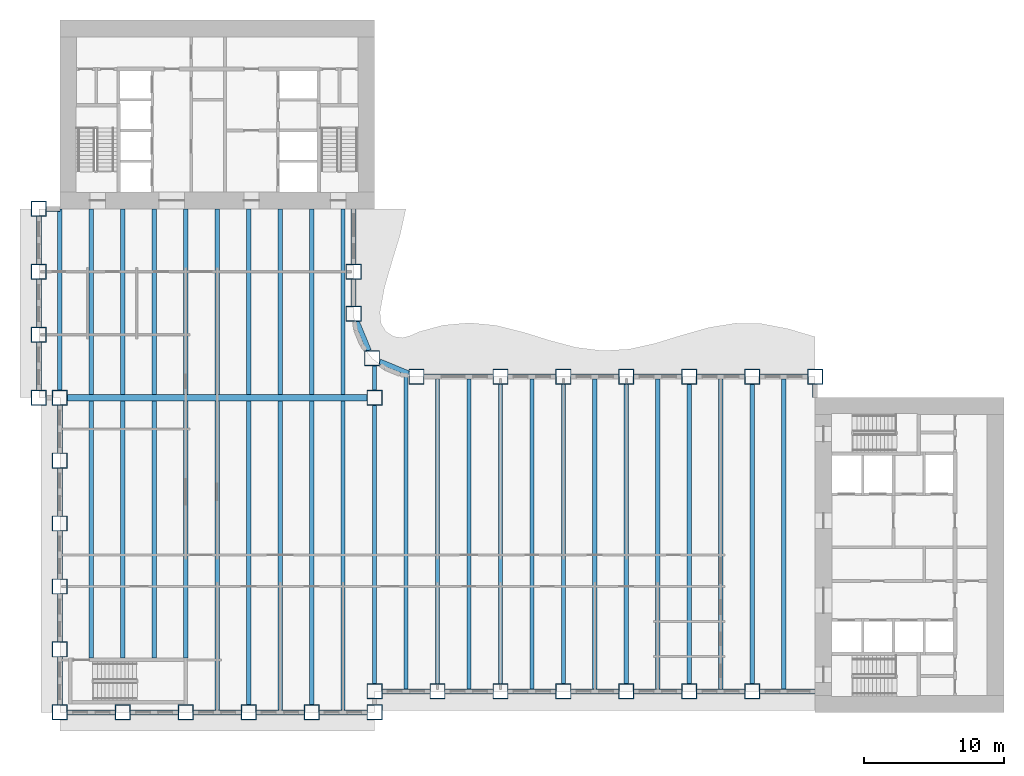
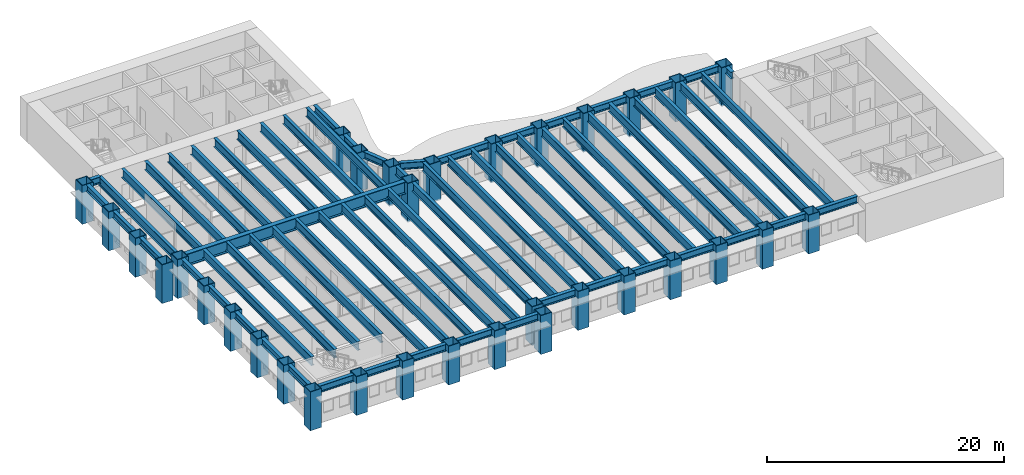
# One storey, part 1 of 16: 67 beams, 33 columns.
"""IFC4 building model written with IfcOpenShell, lengths in metres."""

from ifc_helpers import new_model, si_unit, direction, frame, origin, origin_2d, place, context, subcontext, project, spatial, hollow_rectangle, i_section, extrude, material, material_profile, profile_set, type_object, element, save


model = new_model("IFC4")

# Units and contexts
model_context = context("Model", 3, precision=1e-05, world=origin(), true_north=direction((0.0, 1.0)))
body_context = subcontext(model_context, "Body", "Model", "MODEL_VIEW")
ifc_project = project(units=[si_unit("LENGTHUNIT", "METRE"), si_unit("AREAUNIT", "SQUARE_METRE"), si_unit("VOLUMEUNIT", "CUBIC_METRE"), si_unit("PLANEANGLEUNIT", "RADIAN"), si_unit("MASSUNIT", "GRAM", prefix="KILO")], contexts=[model_context])

# Site, building, storey
site_placement = place(None, origin())
site = spatial("IfcSite", under=ifc_project, at=site_placement, CompositionType="ELEMENT")
building_placement = place(site_placement, origin())
building = spatial("IfcBuilding", under=site, at=building_placement, Name="Sennacour Bend Tower", CompositionType="ELEMENT")
storey_placement = place(building_placement, frame((0.0, 0.0, 69.0)))
storey = spatial("IfcBuildingStorey", under=building, at=storey_placement, Name="L15", CompositionType="ELEMENT", Elevation=69.0)

# Columns
ifc_material_1 = material(Name="Steel ASTM A572 Grade 50", Category="steel")
ifc_material_profile_1 = material_profile(ifc_material_1, hollow_rectangle(XDim=1.10009765625, YDim=1.10009765625, WallThickness=0.06005859375, at=origin_2d()), Name="Steel ASTM A572 Grade 50", Category="steel")
ifc_profile_set_1 = profile_set([ifc_material_profile_1], Name="Steel ASTM A572 Grade 50")
column_type = type_object("IfcColumnType", Name="Box column 1100", PredefinedType="COLUMN", material=ifc_profile_set_1)
for number, where, z_axis, x_axis, name in (
    (1, (-1.5, 22.5, -0.14990234375), (0.0, 0.0, 1.0), (1.0, 0.0, 0.0), "Perimeter column C1 L15-001"),
    (2, (-1.5, 27.0, -0.14990234375), (0.0, 0.0, 1.0), (1.0, 0.0, 0.0), "Perimeter column C1 L15-002"),
    (3, (-1.5, 31.5, -0.14990234375), (0.0, 0.0, 1.0), (1.0, 0.0, 0.0), "Perimeter column C1 L15-003"),
    (4, (-1.5, 36.0, -0.14990234375), (0.0, 0.0, 1.0), (1.0, 0.0, 0.0), "Perimeter column C1 L15-004"),
    (5, (0.0, 0.0, -0.14990234375), (0.0, 0.0, 1.0), (1.0, 0.0, 0.0), "Perimeter column C1 L15-005"),
    (6, (0.0, 4.5, -0.14990234375), (0.0, 0.0, 1.0), (1.0, 0.0, 0.0), "Perimeter column C1 L15-006"),
    (7, (0.0, 9.0, -0.14990234375), (0.0, 0.0, 1.0), (1.0, 0.0, 0.0), "Perimeter column C1 L15-007"),
    (8, (0.0, 13.5, -0.14990234375), (0.0, 0.0, 1.0), (1.0, 0.0, 0.0), "Perimeter column C1 L15-008"),
    (9, (0.0, 18.0, -0.14990234375), (0.0, 0.0, 1.0), (1.0, 0.0, 0.0), "Perimeter column C1 L15-009"),
    (10, (0.0, 22.5, -0.14990234375), (0.0, 0.0, 1.0), (1.0, 0.0, 0.0), "Perimeter column C1 L15-010"),
    (11, (4.5, 0.0, -0.14990234375), (0.0, 0.0, 1.0), (1.0, 0.0, 0.0), "Perimeter column C1 L15-011"),
    (12, (9.0, 0.0, -0.14990234375), (0.0, 0.0, 1.0), (1.0, 0.0, 0.0), "Perimeter column C1 L15-012"),
    (13, (13.5, 0.0, -0.14990234375), (0.0, 0.0, 1.0), (1.0, 0.0, 0.0), "Perimeter column C1 L15-013"),
    (14, (18.0, 0.0, -0.14990234375), (0.0, 0.0, 1.0), (1.0, 0.0, 0.0), "Perimeter column C1 L15-014"),
    (15, (21.0, 28.5, -0.14990234375), (0.0, 0.0, 1.0), (1.0, 0.0, 0.0), "Perimeter column C1 L15-015"),
    (16, (21.0, 31.5, -0.14990234375), (0.0, 0.0, 1.0), (1.0, 0.0, 0.0), "Perimeter column C1 L15-016"),
    (17, (22.318115234375, 25.318115234375, -0.14990234375), (0.0, 0.0, 1.0), (1.0, 0.0, 0.0), "Perimeter column C1 L15-017"),
    (18, (22.5, 0.0, -0.14990234375), (0.0, 0.0, 1.0), (1.0, 0.0, 0.0), "Perimeter column C1 L15-018"),
    (19, (22.5, 1.5, -0.14990234375), (0.0, 0.0, 1.0), (1.0, 0.0, 0.0), "Perimeter column C1 L15-019"),
    (20, (22.5, 22.5, -0.14990234375), (0.0, 0.0, 1.0), (1.0, 0.0, 0.0), "Knuckle column C1 L15-020"),
    (21, (25.5, 24.0, -0.14990234375), (0.0, 0.0, 1.0), (1.0, 0.0, 0.0), "Perimeter column C1 L15-021"),
    (22, (27.0, 1.5, -0.14990234375), (0.0, 0.0, 1.0), (1.0, 0.0, 0.0), "Perimeter column C1 L15-022"),
    (23, (31.5, 1.5, -0.14990234375), (0.0, 0.0, 1.0), (1.0, 0.0, 0.0), "Perimeter column C1 L15-023"),
    (24, (31.5, 24.0, -0.14990234375), (0.0, 0.0, 1.0), (1.0, 0.0, 0.0), "Perimeter column C1 L15-024"),
    (25, (36.0, 1.5, -0.14990234375), (0.0, 0.0, 1.0), (1.0, 0.0, 0.0), "Perimeter column C1 L15-025"),
    (26, (36.0, 24.0, -0.14990234375), (0.0, 0.0, 1.0), (1.0, 0.0, 0.0), "Perimeter column C1 L15-026"),
    (27, (40.5, 1.5, -0.14990234375), (0.0, 0.0, 1.0), (1.0, 0.0, 0.0), "Perimeter column C1 L15-027"),
    (28, (40.5, 24.0, -0.14990234375), (0.0, 0.0, 1.0), (1.0, 0.0, 0.0), "Perimeter column C1 L15-028"),
    (29, (45.0, 1.5, -0.14990234375), (0.0, 0.0, 1.0), (1.0, 0.0, 0.0), "Perimeter column C1 L15-029"),
    (30, (45.0, 24.0, -0.14990234375), (0.0, 0.0, 1.0), (1.0, 0.0, 0.0), "Perimeter column C1 L15-030"),
    (31, (49.5, 1.5, -0.14990234375), (0.0, 0.0, 1.0), (1.0, 0.0, 0.0), "Perimeter column C1 L15-031"),
    (32, (49.5, 24.0, -0.14990234375), (0.0, 0.0, 1.0), (1.0, 0.0, 0.0), "Perimeter column C1 L15-032"),
    (33, (54.0, 24.0, -0.14990234375), (0.0, 0.0, 1.0), (1.0, 0.0, 0.0), "Perimeter column C1 L15-033"),
):
    element("IfcColumn", number, at=place(storey_placement, frame(where, z_axis=z_axis, x_axis=x_axis)), inside=storey, type_object=column_type, Name=name, PredefinedType="COLUMN", context=body_context, shape_type="SweptSolid", body=[
        extrude(hollow_rectangle(XDim=1.10009765625, YDim=1.10009765625, WallThickness=0.06005859375, at=origin_2d()), origin(), (0.0, 0.0, 1.0), 4.0),
    ])

# Beams
ifc_material_2 = material(Name="Steel ASTM A992 Grade 50", Category="steel")
ifc_material_profile_2 = material_profile(ifc_material_2, i_section(OverallWidth=0.304931640625, OverallDepth=0.912109375, WebThickness=0.015869140625, FlangeThickness=0.02392578125, FilletRadius=0.01904296875, at=origin_2d()), Name="Steel ASTM A992 Grade 50", Category="steel")
ifc_profile_set_2 = profile_set([ifc_material_profile_2], Name="Steel ASTM A992 Grade 50")
beam_type_1 = type_object("IfcBeamType", Name="Floor beam W920X223", PredefinedType="BEAM", material=ifc_profile_set_2)
beam_1_placement = place(storey_placement, frame((0.0, 23.050048828125, 3.39404296875), z_axis=(0.0, 1.0, 0.0), x_axis=(-1.0, 0.0, 0.0)))
element("IfcBeam", 34, at=beam_1_placement, inside=storey, type_object=beam_type_1, Name="Floor beam FBM1 L16-001", PredefinedType="BEAM", context=body_context, shape_type="SweptSolid", body=[
    extrude(i_section(OverallWidth=0.304931640625, OverallDepth=0.912109375, WebThickness=0.015869140625, FlangeThickness=0.02392578125, FilletRadius=0.01904296875, at=origin_2d()), origin(), (0.0, 0.0, 1.0), 12.949951171875),
])
beam_2_placement = place(storey_placement, frame((2.25, 3.875, 3.39404296875), z_axis=(0.0, 1.0, 0.0), x_axis=(-1.0, 0.0, 0.0)))
element("IfcBeam", 35, at=beam_2_placement, inside=storey, type_object=beam_type_1, Name="Floor beam FBM1 L16-002", PredefinedType="BEAM", context=body_context, shape_type="SweptSolid", body=[
    extrude(i_section(OverallWidth=0.304931640625, OverallDepth=0.912109375, WebThickness=0.015869140625, FlangeThickness=0.02392578125, FilletRadius=0.01904296875, at=origin_2d()), origin(), (0.0, 0.0, 1.0), 18.39990234375),
])
beam_3_placement = place(storey_placement, frame((2.25, 22.72509765625, 3.39404296875), z_axis=(0.0, 1.0, 0.0), x_axis=(-1.0, 0.0, 0.0)))
element("IfcBeam", 36, at=beam_3_placement, inside=storey, type_object=beam_type_1, Name="Floor beam FBM1 L16-003", PredefinedType="BEAM", context=body_context, shape_type="SweptSolid", body=[
    extrude(i_section(OverallWidth=0.304931640625, OverallDepth=0.912109375, WebThickness=0.015869140625, FlangeThickness=0.02392578125, FilletRadius=0.01904296875, at=origin_2d()), origin(), (0.0, 0.0, 1.0), 13.27490234375),
])
beam_4_placement = place(storey_placement, frame((4.5, 3.875, 3.39404296875), z_axis=(0.0, 1.0, 0.0), x_axis=(-1.0, 0.0, 0.0)))
element("IfcBeam", 37, at=beam_4_placement, inside=storey, type_object=beam_type_1, Name="Floor beam FBM1 L16-004", PredefinedType="BEAM", context=body_context, shape_type="SweptSolid", body=[
    extrude(i_section(OverallWidth=0.304931640625, OverallDepth=0.912109375, WebThickness=0.015869140625, FlangeThickness=0.02392578125, FilletRadius=0.01904296875, at=origin_2d()), origin(), (0.0, 0.0, 1.0), 18.39990234375),
])
beam_5_placement = place(storey_placement, frame((4.5, 22.72509765625, 3.39404296875), z_axis=(0.0, 1.0, 0.0), x_axis=(-1.0, 0.0, 0.0)))
element("IfcBeam", 38, at=beam_5_placement, inside=storey, type_object=beam_type_1, Name="Floor beam FBM1 L16-005", PredefinedType="BEAM", context=body_context, shape_type="SweptSolid", body=[
    extrude(i_section(OverallWidth=0.304931640625, OverallDepth=0.912109375, WebThickness=0.015869140625, FlangeThickness=0.02392578125, FilletRadius=0.01904296875, at=origin_2d()), origin(), (0.0, 0.0, 1.0), 13.27490234375),
])
beam_6_placement = place(storey_placement, frame((6.75, 3.875, 3.39404296875), z_axis=(0.0, 1.0, 0.0), x_axis=(-1.0, 0.0, 0.0)))
element("IfcBeam", 39, at=beam_6_placement, inside=storey, type_object=beam_type_1, Name="Floor beam FBM1 L16-006", PredefinedType="BEAM", context=body_context, shape_type="SweptSolid", body=[
    extrude(i_section(OverallWidth=0.304931640625, OverallDepth=0.912109375, WebThickness=0.015869140625, FlangeThickness=0.02392578125, FilletRadius=0.01904296875, at=origin_2d()), origin(), (0.0, 0.0, 1.0), 18.39990234375),
])
beam_7_placement = place(storey_placement, frame((6.75, 22.72509765625, 3.39404296875), z_axis=(0.0, 1.0, 0.0), x_axis=(-1.0, 0.0, 0.0)))
element("IfcBeam", 40, at=beam_7_placement, inside=storey, type_object=beam_type_1, Name="Floor beam FBM1 L16-007", PredefinedType="BEAM", context=body_context, shape_type="SweptSolid", body=[
    extrude(i_section(OverallWidth=0.304931640625, OverallDepth=0.912109375, WebThickness=0.015869140625, FlangeThickness=0.02392578125, FilletRadius=0.01904296875, at=origin_2d()), origin(), (0.0, 0.0, 1.0), 13.27490234375),
])
beam_8_placement = place(storey_placement, frame((9.0, 3.875, 3.39404296875), z_axis=(0.0, 1.0, 0.0), x_axis=(-1.0, 0.0, 0.0)))
element("IfcBeam", 41, at=beam_8_placement, inside=storey, type_object=beam_type_1, Name="Floor beam FBM1 L16-008", PredefinedType="BEAM", context=body_context, shape_type="SweptSolid", body=[
    extrude(i_section(OverallWidth=0.304931640625, OverallDepth=0.912109375, WebThickness=0.015869140625, FlangeThickness=0.02392578125, FilletRadius=0.01904296875, at=origin_2d()), origin(), (0.0, 0.0, 1.0), 18.39990234375),
])
beam_9_placement = place(storey_placement, frame((9.0, 22.72509765625, 3.39404296875), z_axis=(0.0, 1.0, 0.0), x_axis=(-1.0, 0.0, 0.0)))
element("IfcBeam", 42, at=beam_9_placement, inside=storey, type_object=beam_type_1, Name="Floor beam FBM1 L16-009", PredefinedType="BEAM", context=body_context, shape_type="SweptSolid", body=[
    extrude(i_section(OverallWidth=0.304931640625, OverallDepth=0.912109375, WebThickness=0.015869140625, FlangeThickness=0.02392578125, FilletRadius=0.01904296875, at=origin_2d()), origin(), (0.0, 0.0, 1.0), 13.27490234375),
])
beam_10_placement = place(storey_placement, frame((11.25, 0.178955078125, 3.39404296875), z_axis=(0.0, 1.0, 0.0), x_axis=(-1.0, 0.0, 0.0)))
element("IfcBeam", 43, at=beam_10_placement, inside=storey, type_object=beam_type_1, Name="Floor beam FBM1 L16-010", PredefinedType="BEAM", context=body_context, shape_type="SweptSolid", body=[
    extrude(i_section(OverallWidth=0.304931640625, OverallDepth=0.912109375, WebThickness=0.015869140625, FlangeThickness=0.02392578125, FilletRadius=0.01904296875, at=origin_2d()), origin(), (0.0, 0.0, 1.0), 22.095947265625),
])
beam_11_placement = place(storey_placement, frame((11.25, 22.72509765625, 3.39404296875), z_axis=(0.0, 1.0, 0.0), x_axis=(-1.0, 0.0, 0.0)))
element("IfcBeam", 44, at=beam_11_placement, inside=storey, type_object=beam_type_1, Name="Floor beam FBM1 L16-011", PredefinedType="BEAM", context=body_context, shape_type="SweptSolid", body=[
    extrude(i_section(OverallWidth=0.304931640625, OverallDepth=0.912109375, WebThickness=0.015869140625, FlangeThickness=0.02392578125, FilletRadius=0.01904296875, at=origin_2d()), origin(), (0.0, 0.0, 1.0), 13.27490234375),
])
beam_12_placement = place(storey_placement, frame((13.5, 0.550048828125, 3.39404296875), z_axis=(0.0, 1.0, 0.0), x_axis=(-1.0, 0.0, 0.0)))
element("IfcBeam", 45, at=beam_12_placement, inside=storey, type_object=beam_type_1, Name="Floor beam FBM1 L16-012", PredefinedType="BEAM", context=body_context, shape_type="SweptSolid", body=[
    extrude(i_section(OverallWidth=0.304931640625, OverallDepth=0.912109375, WebThickness=0.015869140625, FlangeThickness=0.02392578125, FilletRadius=0.01904296875, at=origin_2d()), origin(), (0.0, 0.0, 1.0), 21.724853515625),
])
beam_13_placement = place(storey_placement, frame((13.5, 22.72509765625, 3.39404296875), z_axis=(0.0, 1.0, 0.0), x_axis=(-1.0, 0.0, 0.0)))
element("IfcBeam", 46, at=beam_13_placement, inside=storey, type_object=beam_type_1, Name="Floor beam FBM1 L16-013", PredefinedType="BEAM", context=body_context, shape_type="SweptSolid", body=[
    extrude(i_section(OverallWidth=0.304931640625, OverallDepth=0.912109375, WebThickness=0.015869140625, FlangeThickness=0.02392578125, FilletRadius=0.01904296875, at=origin_2d()), origin(), (0.0, 0.0, 1.0), 13.27490234375),
])
beam_14_placement = place(storey_placement, frame((15.75, 0.178955078125, 3.39404296875), z_axis=(0.0, 1.0, 0.0), x_axis=(-1.0, 0.0, 0.0)))
element("IfcBeam", 47, at=beam_14_placement, inside=storey, type_object=beam_type_1, Name="Floor beam FBM1 L16-014", PredefinedType="BEAM", context=body_context, shape_type="SweptSolid", body=[
    extrude(i_section(OverallWidth=0.304931640625, OverallDepth=0.912109375, WebThickness=0.015869140625, FlangeThickness=0.02392578125, FilletRadius=0.01904296875, at=origin_2d()), origin(), (0.0, 0.0, 1.0), 22.095947265625),
])
beam_15_placement = place(storey_placement, frame((15.75, 22.72509765625, 3.39404296875), z_axis=(0.0, 1.0, 0.0), x_axis=(-1.0, 0.0, 0.0)))
element("IfcBeam", 48, at=beam_15_placement, inside=storey, type_object=beam_type_1, Name="Floor beam FBM1 L16-015", PredefinedType="BEAM", context=body_context, shape_type="SweptSolid", body=[
    extrude(i_section(OverallWidth=0.304931640625, OverallDepth=0.912109375, WebThickness=0.015869140625, FlangeThickness=0.02392578125, FilletRadius=0.01904296875, at=origin_2d()), origin(), (0.0, 0.0, 1.0), 13.27490234375),
])
beam_16_placement = place(storey_placement, frame((18.0, 0.550048828125, 3.39404296875), z_axis=(0.0, 1.0, 0.0), x_axis=(-1.0, 0.0, 0.0)))
element("IfcBeam", 49, at=beam_16_placement, inside=storey, type_object=beam_type_1, Name="Floor beam FBM1 L16-016", PredefinedType="BEAM", context=body_context, shape_type="SweptSolid", body=[
    extrude(i_section(OverallWidth=0.304931640625, OverallDepth=0.912109375, WebThickness=0.015869140625, FlangeThickness=0.02392578125, FilletRadius=0.01904296875, at=origin_2d()), origin(), (0.0, 0.0, 1.0), 21.724853515625),
])
beam_17_placement = place(storey_placement, frame((18.0, 22.72509765625, 3.39404296875), z_axis=(0.0, 1.0, 0.0), x_axis=(-1.0, 0.0, 0.0)))
element("IfcBeam", 50, at=beam_17_placement, inside=storey, type_object=beam_type_1, Name="Floor beam FBM1 L16-017", PredefinedType="BEAM", context=body_context, shape_type="SweptSolid", body=[
    extrude(i_section(OverallWidth=0.304931640625, OverallDepth=0.912109375, WebThickness=0.015869140625, FlangeThickness=0.02392578125, FilletRadius=0.01904296875, at=origin_2d()), origin(), (0.0, 0.0, 1.0), 13.27490234375),
])
beam_18_placement = place(storey_placement, frame((20.25, 0.178955078125, 3.39404296875), z_axis=(0.0, 1.0, 0.0), x_axis=(-1.0, 0.0, 0.0)))
element("IfcBeam", 51, at=beam_18_placement, inside=storey, type_object=beam_type_1, Name="Floor beam FBM1 L16-018", PredefinedType="BEAM", context=body_context, shape_type="SweptSolid", body=[
    extrude(i_section(OverallWidth=0.304931640625, OverallDepth=0.912109375, WebThickness=0.015869140625, FlangeThickness=0.02392578125, FilletRadius=0.01904296875, at=origin_2d()), origin(), (0.0, 0.0, 1.0), 22.095947265625),
])
beam_19_placement = place(storey_placement, frame((20.25, 22.72509765625, 3.39404296875), z_axis=(0.0, 1.0, 0.0), x_axis=(-1.0, 0.0, 0.0)))
element("IfcBeam", 52, at=beam_19_placement, inside=storey, type_object=beam_type_1, Name="Floor beam FBM1 L16-019", PredefinedType="BEAM", context=body_context, shape_type="SweptSolid", body=[
    extrude(i_section(OverallWidth=0.304931640625, OverallDepth=0.912109375, WebThickness=0.015869140625, FlangeThickness=0.02392578125, FilletRadius=0.01904296875, at=origin_2d()), origin(), (0.0, 0.0, 1.0), 13.27490234375),
])
beam_20_placement = place(storey_placement, frame((22.5, 2.050048828125, 3.39404296875), z_axis=(0.0, 1.0, 0.0), x_axis=(-1.0, 0.0, 0.0)))
element("IfcBeam", 53, at=beam_20_placement, inside=storey, type_object=beam_type_1, Name="Floor beam FBM1 L16-020", PredefinedType="BEAM", context=body_context, shape_type="SweptSolid", body=[
    extrude(i_section(OverallWidth=0.304931640625, OverallDepth=0.912109375, WebThickness=0.015869140625, FlangeThickness=0.02392578125, FilletRadius=0.01904296875, at=origin_2d()), origin(), (0.0, 0.0, 1.0), 19.89990234375),
])
beam_21_placement = place(storey_placement, frame((22.5, 23.050048828125, 3.39404296875), z_axis=(0.0, 1.0, 0.0), x_axis=(-1.0, 0.0, 0.0)))
element("IfcBeam", 54, at=beam_21_placement, inside=storey, type_object=beam_type_1, Name="Floor beam FBM1 L16-021", PredefinedType="BEAM", context=body_context, shape_type="SweptSolid", body=[
    extrude(i_section(OverallWidth=0.304931640625, OverallDepth=0.912109375, WebThickness=0.015869140625, FlangeThickness=0.02392578125, FilletRadius=0.01904296875, at=origin_2d()), origin(), (0.0, 0.0, 1.0), 1.718017578125),
])
beam_22_placement = place(storey_placement, frame((24.75, 1.678955078125, 3.39404296875), z_axis=(0.0, 1.0, 0.0), x_axis=(-1.0, 0.0, 0.0)))
element("IfcBeam", 55, at=beam_22_placement, inside=storey, type_object=beam_type_1, Name="Floor beam FBM1 L16-022", PredefinedType="BEAM", context=body_context, shape_type="SweptSolid", body=[
    extrude(i_section(OverallWidth=0.304931640625, OverallDepth=0.912109375, WebThickness=0.015869140625, FlangeThickness=0.02392578125, FilletRadius=0.01904296875, at=origin_2d()), origin(), (0.0, 0.0, 1.0), 22.43798828125),
])
beam_23_placement = place(storey_placement, frame((27.0, 2.050048828125, 3.39404296875), z_axis=(0.0, 1.0, 0.0), x_axis=(-1.0, 0.0, 0.0)))
element("IfcBeam", 56, at=beam_23_placement, inside=storey, type_object=beam_type_1, Name="Floor beam FBM1 L16-023", PredefinedType="BEAM", context=body_context, shape_type="SweptSolid", body=[
    extrude(i_section(OverallWidth=0.304931640625, OverallDepth=0.912109375, WebThickness=0.015869140625, FlangeThickness=0.02392578125, FilletRadius=0.01904296875, at=origin_2d()), origin(), (0.0, 0.0, 1.0), 21.77099609375),
])
beam_24_placement = place(storey_placement, frame((29.25, 1.678955078125, 3.39404296875), z_axis=(0.0, 1.0, 0.0), x_axis=(-1.0, 0.0, 0.0)))
element("IfcBeam", 57, at=beam_24_placement, inside=storey, type_object=beam_type_1, Name="Floor beam FBM1 L16-024", PredefinedType="BEAM", context=body_context, shape_type="SweptSolid", body=[
    extrude(i_section(OverallWidth=0.304931640625, OverallDepth=0.912109375, WebThickness=0.015869140625, FlangeThickness=0.02392578125, FilletRadius=0.01904296875, at=origin_2d()), origin(), (0.0, 0.0, 1.0), 22.14208984375),
])
beam_25_placement = place(storey_placement, frame((31.5, 2.050048828125, 3.39404296875), z_axis=(0.0, 1.0, 0.0), x_axis=(-1.0, 0.0, 0.0)))
element("IfcBeam", 58, at=beam_25_placement, inside=storey, type_object=beam_type_1, Name="Floor beam FBM1 L16-025", PredefinedType="BEAM", context=body_context, shape_type="SweptSolid", body=[
    extrude(i_section(OverallWidth=0.304931640625, OverallDepth=0.912109375, WebThickness=0.015869140625, FlangeThickness=0.02392578125, FilletRadius=0.01904296875, at=origin_2d()), origin(), (0.0, 0.0, 1.0), 21.39990234375),
])
beam_26_placement = place(storey_placement, frame((33.75, 1.678955078125, 3.39404296875), z_axis=(0.0, 1.0, 0.0), x_axis=(-1.0, 0.0, 0.0)))
element("IfcBeam", 59, at=beam_26_placement, inside=storey, type_object=beam_type_1, Name="Floor beam FBM1 L16-026", PredefinedType="BEAM", context=body_context, shape_type="SweptSolid", body=[
    extrude(i_section(OverallWidth=0.304931640625, OverallDepth=0.912109375, WebThickness=0.015869140625, FlangeThickness=0.02392578125, FilletRadius=0.01904296875, at=origin_2d()), origin(), (0.0, 0.0, 1.0), 22.14208984375),
])
beam_27_placement = place(storey_placement, frame((36.0, 2.050048828125, 3.39404296875), z_axis=(0.0, 1.0, 0.0), x_axis=(-1.0, 0.0, 0.0)))
element("IfcBeam", 60, at=beam_27_placement, inside=storey, type_object=beam_type_1, Name="Floor beam FBM1 L16-027", PredefinedType="BEAM", context=body_context, shape_type="SweptSolid", body=[
    extrude(i_section(OverallWidth=0.304931640625, OverallDepth=0.912109375, WebThickness=0.015869140625, FlangeThickness=0.02392578125, FilletRadius=0.01904296875, at=origin_2d()), origin(), (0.0, 0.0, 1.0), 21.39990234375),
])
beam_28_placement = place(storey_placement, frame((38.25, 1.678955078125, 3.39404296875), z_axis=(0.0, 1.0, 0.0), x_axis=(-1.0, 0.0, 0.0)))
element("IfcBeam", 61, at=beam_28_placement, inside=storey, type_object=beam_type_1, Name="Floor beam FBM1 L16-028", PredefinedType="BEAM", context=body_context, shape_type="SweptSolid", body=[
    extrude(i_section(OverallWidth=0.304931640625, OverallDepth=0.912109375, WebThickness=0.015869140625, FlangeThickness=0.02392578125, FilletRadius=0.01904296875, at=origin_2d()), origin(), (0.0, 0.0, 1.0), 22.14208984375),
])
beam_29_placement = place(storey_placement, frame((40.5, 2.050048828125, 3.39404296875), z_axis=(0.0, 1.0, 0.0), x_axis=(-1.0, 0.0, 0.0)))
element("IfcBeam", 62, at=beam_29_placement, inside=storey, type_object=beam_type_1, Name="Floor beam FBM1 L16-029", PredefinedType="BEAM", context=body_context, shape_type="SweptSolid", body=[
    extrude(i_section(OverallWidth=0.304931640625, OverallDepth=0.912109375, WebThickness=0.015869140625, FlangeThickness=0.02392578125, FilletRadius=0.01904296875, at=origin_2d()), origin(), (0.0, 0.0, 1.0), 21.39990234375),
])
beam_30_placement = place(storey_placement, frame((42.75, 1.678955078125, 3.39404296875), z_axis=(0.0, 1.0, 0.0), x_axis=(-1.0, 0.0, 0.0)))
element("IfcBeam", 63, at=beam_30_placement, inside=storey, type_object=beam_type_1, Name="Floor beam FBM1 L16-030", PredefinedType="BEAM", context=body_context, shape_type="SweptSolid", body=[
    extrude(i_section(OverallWidth=0.304931640625, OverallDepth=0.912109375, WebThickness=0.015869140625, FlangeThickness=0.02392578125, FilletRadius=0.01904296875, at=origin_2d()), origin(), (0.0, 0.0, 1.0), 22.14208984375),
])
beam_31_placement = place(storey_placement, frame((45.0, 2.050048828125, 3.39404296875), z_axis=(0.0, 1.0, 0.0), x_axis=(-1.0, 0.0, 0.0)))
element("IfcBeam", 64, at=beam_31_placement, inside=storey, type_object=beam_type_1, Name="Floor beam FBM1 L16-031", PredefinedType="BEAM", context=body_context, shape_type="SweptSolid", body=[
    extrude(i_section(OverallWidth=0.304931640625, OverallDepth=0.912109375, WebThickness=0.015869140625, FlangeThickness=0.02392578125, FilletRadius=0.01904296875, at=origin_2d()), origin(), (0.0, 0.0, 1.0), 21.39990234375),
])
beam_32_placement = place(storey_placement, frame((47.25, 1.678955078125, 3.39404296875), z_axis=(0.0, 1.0, 0.0), x_axis=(-1.0, 0.0, 0.0)))
element("IfcBeam", 65, at=beam_32_placement, inside=storey, type_object=beam_type_1, Name="Floor beam FBM1 L16-032", PredefinedType="BEAM", context=body_context, shape_type="SweptSolid", body=[
    extrude(i_section(OverallWidth=0.304931640625, OverallDepth=0.912109375, WebThickness=0.015869140625, FlangeThickness=0.02392578125, FilletRadius=0.01904296875, at=origin_2d()), origin(), (0.0, 0.0, 1.0), 22.14208984375),
])
beam_33_placement = place(storey_placement, frame((49.5, 2.050048828125, 3.39404296875), z_axis=(0.0, 1.0, 0.0), x_axis=(-1.0, 0.0, 0.0)))
element("IfcBeam", 66, at=beam_33_placement, inside=storey, type_object=beam_type_1, Name="Floor beam FBM1 L16-033", PredefinedType="BEAM", context=body_context, shape_type="SweptSolid", body=[
    extrude(i_section(OverallWidth=0.304931640625, OverallDepth=0.912109375, WebThickness=0.015869140625, FlangeThickness=0.02392578125, FilletRadius=0.01904296875, at=origin_2d()), origin(), (0.0, 0.0, 1.0), 21.39990234375),
])
beam_34_placement = place(storey_placement, frame((51.75, 1.678955078125, 3.39404296875), z_axis=(0.0, 1.0, 0.0), x_axis=(-1.0, 0.0, 0.0)))
element("IfcBeam", 67, at=beam_34_placement, inside=storey, type_object=beam_type_1, Name="Floor beam FBM1 L16-034", PredefinedType="BEAM", context=body_context, shape_type="SweptSolid", body=[
    extrude(i_section(OverallWidth=0.304931640625, OverallDepth=0.912109375, WebThickness=0.015869140625, FlangeThickness=0.02392578125, FilletRadius=0.01904296875, at=origin_2d()), origin(), (0.0, 0.0, 1.0), 22.14208984375),
])
ifc_material_profile_3 = material_profile(ifc_material_1, i_section(OverallWidth=0.449951171875, OverallDepth=1.25, WebThickness=0.028076171875, FlangeThickness=0.050048828125, at=origin_2d()), Name="Steel ASTM A572 Grade 50", Category="steel")
ifc_profile_set_3 = profile_set([ifc_material_profile_3], Name="Steel ASTM A572 Grade 50")
beam_type_2 = type_object("IfcBeamType", Name="Knuckle girder 1250", PredefinedType="USERDEFINED", material=ifc_profile_set_3)
beam_35_placement = place(storey_placement, frame((0.550048828125, 22.5, 3.22509765625), z_axis=(1.0, 0.0, 0.0), x_axis=(0.0, 1.0, 0.0)))
element("IfcBeam", 68, at=beam_35_placement, inside=storey, type_object=beam_type_2, Name="Knuckle girder GK L16-001", ObjectType="KNUCKLE GIRDER", PredefinedType="USERDEFINED", context=body_context, shape_type="SweptSolid", body=[
    extrude(i_section(OverallWidth=0.449951171875, OverallDepth=1.25, WebThickness=0.028076171875, FlangeThickness=0.050048828125, at=origin_2d()), origin(), (0.0, 0.0, 1.0), 21.39990234375),
])
ifc_material_profile_4 = material_profile(ifc_material_2, i_section(OverallWidth=0.35791015625, OverallDepth=0.7060546875, WebThickness=0.018310546875, FlangeThickness=0.0302734375, FilletRadius=0.02001953125, at=origin_2d()), Name="Steel ASTM A992 Grade 50", Category="steel")
ifc_profile_set_4 = profile_set([ifc_material_profile_4], Name="Steel ASTM A992 Grade 50")
beam_type_3 = type_object("IfcBeamType", Name="Spandrel beam W690X265", PredefinedType="SPANDREL", material=ifc_profile_set_4)
for number, where, z_axis, x_axis, name in (
    (69, (0.0, 0.550048828125, 3.4970703125), (0.0, 1.0, 0.0), (-1.0, 0.0, 0.0), "Spandrel beam SP2 L16-001"),
    (70, (0.0, 5.050048828125, 3.4970703125), (0.0, 1.0, 0.0), (-1.0, 0.0, 0.0), "Spandrel beam SP2 L16-002"),
    (71, (0.0, 9.550048828125, 3.4970703125), (0.0, 1.0, 0.0), (-1.0, 0.0, 0.0), "Spandrel beam SP2 L16-003"),
    (72, (0.0, 14.050048828125, 3.4970703125), (0.0, 1.0, 0.0), (-1.0, 0.0, 0.0), "Spandrel beam SP2 L16-004"),
    (73, (0.0, 18.550048828125, 3.4970703125), (0.0, 1.0, 0.0), (-1.0, 0.0, 0.0), "Spandrel beam SP2 L16-005"),
    (74, (-1.5, 23.050048828125, 3.4970703125), (0.0, 1.0, 0.0), (-1.0, 0.0, 0.0), "Spandrel beam SP2 L16-006"),
    (75, (-1.5, 27.550048828125, 3.4970703125), (0.0, 1.0, 0.0), (-1.0, 0.0, 0.0), "Spandrel beam SP2 L16-007"),
    (76, (-1.5, 32.050048828125, 3.4970703125), (0.0, 1.0, 0.0), (-1.0, 0.0, 0.0), "Spandrel beam SP2 L16-008"),
):
    element("IfcBeam", number, at=place(storey_placement, frame(where, z_axis=z_axis, x_axis=x_axis)), inside=storey, type_object=beam_type_3, Name=name, PredefinedType="SPANDREL", context=body_context, shape_type="SweptSolid", body=[
        extrude(i_section(OverallWidth=0.35791015625, OverallDepth=0.7060546875, WebThickness=0.018310546875, FlangeThickness=0.0302734375, FilletRadius=0.02001953125, at=origin_2d()), origin(), (0.0, 0.0, 1.0), 3.39990234375),
    ])
beam_36_placement = place(storey_placement, frame((-0.949951171875, 36.0, 3.4970703125), z_axis=(1.0, 0.0, 0.0), x_axis=(0.0, 1.0, 0.0)))
element("IfcBeam", 77, at=beam_36_placement, inside=storey, type_object=beam_type_3, Name="Spandrel beam SP2 L16-009", PredefinedType="SPANDREL", context=body_context, shape_type="SweptSolid", body=[
    extrude(i_section(OverallWidth=0.35791015625, OverallDepth=0.7060546875, WebThickness=0.018310546875, FlangeThickness=0.0302734375, FilletRadius=0.02001953125, at=origin_2d()), origin(), (0.0, 0.0, 1.0), 0.949951171875),
])
beam_37_placement = place(storey_placement, frame((21.0, 36.0, 3.4970703125), z_axis=(0.0, -1.0, 0.0), x_axis=(1.0, 0.0, 0.0)))
element("IfcBeam", 78, at=beam_37_placement, inside=storey, type_object=beam_type_3, Name="Spandrel beam SP2 L16-010", PredefinedType="SPANDREL", context=body_context, shape_type="SweptSolid", body=[
    extrude(i_section(OverallWidth=0.35791015625, OverallDepth=0.7060546875, WebThickness=0.018310546875, FlangeThickness=0.0302734375, FilletRadius=0.02001953125, at=origin_2d()), origin(), (0.0, 0.0, 1.0), 3.949951171875),
])
beam_38_placement = place(storey_placement, frame((21.0, 30.949951171875, 3.4970703125), z_axis=(0.0, -1.0, 0.0), x_axis=(1.0, 0.0, 0.0)))
element("IfcBeam", 79, at=beam_38_placement, inside=storey, type_object=beam_type_3, Name="Spandrel beam SP2 L16-011", PredefinedType="SPANDREL", context=body_context, shape_type="SweptSolid", body=[
    extrude(i_section(OverallWidth=0.35791015625, OverallDepth=0.7060546875, WebThickness=0.018310546875, FlangeThickness=0.0302734375, FilletRadius=0.02001953125, at=origin_2d()), origin(), (0.0, 0.0, 1.0), 1.89990234375),
])
for number, where, z_axis, x_axis, name in (
    (80, (21.227783203125, 27.949951171875, 3.4970703125), (0.382645217415, -0.923895360736, 0.0), (0.923895360736, 0.382645217415, 0.0), "Spandrel beam SP2 L16-012"),
    (81, (22.867919921875, 25.090087890625, 3.4970703125), (0.923895360736, -0.382645217415, 0.0), (0.382645217415, 0.923895360736, 0.0), "Spandrel beam SP2 L16-013"),
):
    element("IfcBeam", number, at=place(storey_placement, frame(where, z_axis=z_axis, x_axis=x_axis)), inside=storey, type_object=beam_type_3, Name=name, PredefinedType="SPANDREL", context=body_context, shape_type="SweptSolid", body=[
        extrude(i_section(OverallWidth=0.35791015625, OverallDepth=0.7060546875, WebThickness=0.018310546875, FlangeThickness=0.0302734375, FilletRadius=0.02001953125, at=origin_2d()), origin(), (0.0, 0.0, 1.0), 2.25341796875),
    ])
beam_39_placement = place(storey_placement, frame((26.050048828125, 24.0, 3.4970703125), z_axis=(1.0, 0.0, 0.0), x_axis=(0.0, 1.0, 0.0)))
element("IfcBeam", 82, at=beam_39_placement, inside=storey, type_object=beam_type_3, Name="Spandrel beam SP2 L16-014", PredefinedType="SPANDREL", context=body_context, shape_type="SweptSolid", body=[
    extrude(i_section(OverallWidth=0.35791015625, OverallDepth=0.7060546875, WebThickness=0.018310546875, FlangeThickness=0.0302734375, FilletRadius=0.02001953125, at=origin_2d()), origin(), (0.0, 0.0, 1.0), 4.89990234375),
])
for number, where, z_axis, x_axis, name in (
    (83, (32.050048828125, 24.0, 3.4970703125), (1.0, 0.0, 0.0), (0.0, 1.0, 0.0), "Spandrel beam SP2 L16-015"),
    (84, (36.550048828125, 24.0, 3.4970703125), (1.0, 0.0, 0.0), (0.0, 1.0, 0.0), "Spandrel beam SP2 L16-016"),
    (85, (41.050048828125, 24.0, 3.4970703125), (1.0, 0.0, 0.0), (0.0, 1.0, 0.0), "Spandrel beam SP2 L16-017"),
    (86, (45.550048828125, 24.0, 3.4970703125), (1.0, 0.0, 0.0), (0.0, 1.0, 0.0), "Spandrel beam SP2 L16-018"),
    (87, (50.050048828125, 24.0, 3.4970703125), (1.0, 0.0, 0.0), (0.0, 1.0, 0.0), "Spandrel beam SP2 L16-019"),
):
    element("IfcBeam", number, at=place(storey_placement, frame(where, z_axis=z_axis, x_axis=x_axis)), inside=storey, type_object=beam_type_3, Name=name, PredefinedType="SPANDREL", context=body_context, shape_type="SweptSolid", body=[
        extrude(i_section(OverallWidth=0.35791015625, OverallDepth=0.7060546875, WebThickness=0.018310546875, FlangeThickness=0.0302734375, FilletRadius=0.02001953125, at=origin_2d()), origin(), (0.0, 0.0, 1.0), 3.39990234375),
    ])
beam_40_placement = place(storey_placement, frame((54.0, 23.449951171875, 3.4970703125), z_axis=(0.0, -1.0, 0.0), x_axis=(1.0, 0.0, 0.0)))
element("IfcBeam", 88, at=beam_40_placement, inside=storey, type_object=beam_type_3, Name="Spandrel beam SP2 L16-020", PredefinedType="SPANDREL", context=body_context, shape_type="SweptSolid", body=[
    extrude(i_section(OverallWidth=0.35791015625, OverallDepth=0.7060546875, WebThickness=0.018310546875, FlangeThickness=0.0302734375, FilletRadius=0.02001953125, at=origin_2d()), origin(), (0.0, 0.0, 1.0), 0.949951171875),
])
beam_41_placement = place(storey_placement, frame((54.0, 1.5, 3.4970703125), z_axis=(-1.0, 0.0, 0.0), x_axis=(0.0, -1.0, 0.0)))
element("IfcBeam", 89, at=beam_41_placement, inside=storey, type_object=beam_type_3, Name="Spandrel beam SP2 L16-021", PredefinedType="SPANDREL", context=body_context, shape_type="SweptSolid", body=[
    extrude(i_section(OverallWidth=0.35791015625, OverallDepth=0.7060546875, WebThickness=0.018310546875, FlangeThickness=0.0302734375, FilletRadius=0.02001953125, at=origin_2d()), origin(), (0.0, 0.0, 1.0), 3.949951171875),
])
for number, where, z_axis, x_axis, name in (
    (90, (48.949951171875, 1.5, 3.4970703125), (-1.0, 0.0, 0.0), (0.0, -1.0, 0.0), "Spandrel beam SP2 L16-022"),
    (91, (44.449951171875, 1.5, 3.4970703125), (-1.0, 0.0, 0.0), (0.0, -1.0, 0.0), "Spandrel beam SP2 L16-023"),
    (92, (39.949951171875, 1.5, 3.4970703125), (-1.0, 0.0, 0.0), (0.0, -1.0, 0.0), "Spandrel beam SP2 L16-024"),
    (93, (35.449951171875, 1.5, 3.4970703125), (-1.0, 0.0, 0.0), (0.0, -1.0, 0.0), "Spandrel beam SP2 L16-025"),
    (94, (30.949951171875, 1.5, 3.4970703125), (-1.0, 0.0, 0.0), (0.0, -1.0, 0.0), "Spandrel beam SP2 L16-026"),
    (95, (26.449951171875, 1.5, 3.4970703125), (-1.0, 0.0, 0.0), (0.0, -1.0, 0.0), "Spandrel beam SP2 L16-027"),
    (96, (21.949951171875, 0.0, 3.4970703125), (-1.0, 0.0, 0.0), (0.0, -1.0, 0.0), "Spandrel beam SP2 L16-028"),
    (97, (17.449951171875, 0.0, 3.4970703125), (-1.0, 0.0, 0.0), (0.0, -1.0, 0.0), "Spandrel beam SP2 L16-029"),
    (98, (12.949951171875, 0.0, 3.4970703125), (-1.0, 0.0, 0.0), (0.0, -1.0, 0.0), "Spandrel beam SP2 L16-030"),
    (99, (8.449951171875, 0.0, 3.4970703125), (-1.0, 0.0, 0.0), (0.0, -1.0, 0.0), "Spandrel beam SP2 L16-031"),
    (100, (3.949951171875, 0.0, 3.4970703125), (-1.0, 0.0, 0.0), (0.0, -1.0, 0.0), "Spandrel beam SP2 L16-032"),
):
    element("IfcBeam", number, at=place(storey_placement, frame(where, z_axis=z_axis, x_axis=x_axis)), inside=storey, type_object=beam_type_3, Name=name, PredefinedType="SPANDREL", context=body_context, shape_type="SweptSolid", body=[
        extrude(i_section(OverallWidth=0.35791015625, OverallDepth=0.7060546875, WebThickness=0.018310546875, FlangeThickness=0.0302734375, FilletRadius=0.02001953125, at=origin_2d()), origin(), (0.0, 0.0, 1.0), 3.39990234375),
    ])

save(model, "model.ifc")
